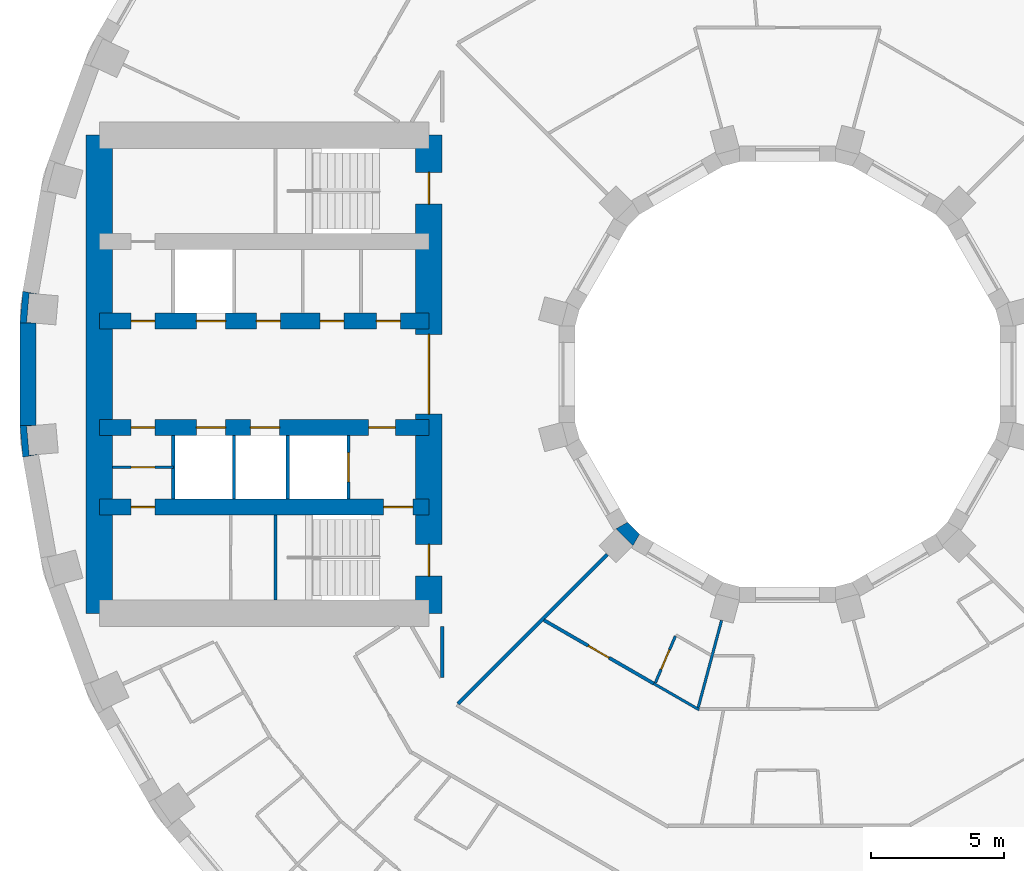
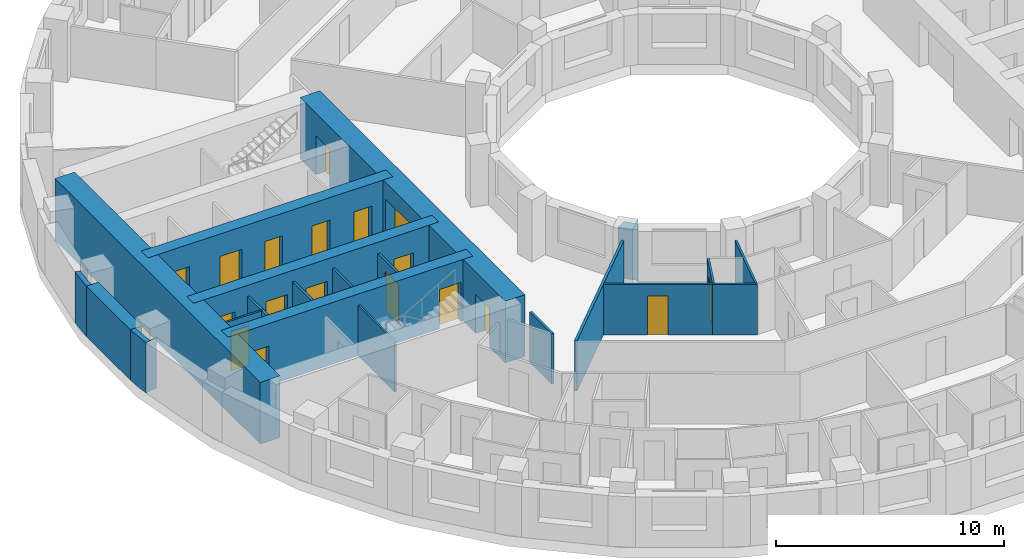
# One storey, part 6 of 15: 21 walls, 18 doors, 18 openings.
"""IFC4 building model written with IfcOpenShell, lengths in metres."""

from ifc_helpers import new_model, si_unit, direction, frame, frame_2d, origin, place, context, subcontext, project, spatial, polyline, rectangle, outline, extrude, material, layer, layer_set, type_object, element, fill, save


model = new_model("IFC4")

# Units and contexts
model_context = context("Model", 3, precision=1e-05, world=origin(), true_north=direction((0.0, 1.0)))
body_context = subcontext(model_context, "Body", "Model", "MODEL_VIEW")
ifc_project = project(units=[si_unit("LENGTHUNIT", "METRE"), si_unit("AREAUNIT", "SQUARE_METRE"), si_unit("VOLUMEUNIT", "CUBIC_METRE"), si_unit("PLANEANGLEUNIT", "RADIAN"), si_unit("MASSUNIT", "GRAM", prefix="KILO")], contexts=[model_context])

# Site, building, storey
site_placement = place(None, origin())
site = spatial("IfcSite", under=ifc_project, at=site_placement, CompositionType="ELEMENT")
building_placement = place(site_placement, origin())
building = spatial("IfcBuilding", under=site, at=building_placement, Name="Saqina Gate Tower", CompositionType="ELEMENT")
storey_placement = place(building_placement, frame((0.0, 0.0, 79.10009765625)))
storey = spatial("IfcBuildingStorey", under=building, at=storey_placement, Name="L22", CompositionType="ELEMENT", Elevation=79.10009765625)

# Walls
ifc_material_1 = material(Name="Brick masonry (red)", Category="masonry")
wall_type_1 = type_object("IfcWallType", Name="BRICK PIER COPING RED", PredefinedType="SOLIDWALL", material=ifc_material_1)
wall_1_placement = place(storey_placement, origin())
element("IfcWall", 1, at=wall_1_placement, inside=storey, type_object=wall_type_1, Name="Pier cap L22 column 18", PredefinedType="SOLIDWALL", context=body_context, shape_type="SweptSolid", body=[
    extrude(outline(polyline([(-28.78466796875, 3.122802734375), (-28.8896484375, 1.9228515625), (-28.28955078125, 1.9228515625), (-28.638671875, 1.95361328125), (-28.54296875, 3.04931640625), (-28.19384765625, 3.018798828125), (-28.78466796875, 3.122802734375)])), origin(), (0.0, 0.0, 1.0), 2.699951171875),
])
wall_2_placement = place(storey_placement, origin())
element("IfcWall", 2, at=wall_2_placement, inside=storey, type_object=wall_type_1, Name="Pier cap L22 column 19", PredefinedType="SOLIDWALL", context=body_context, shape_type="SweptSolid", body=[
    extrude(outline(polyline([(-28.8896484375, -1.9228515625), (-28.78466796875, -3.122802734375), (-28.19384765625, -3.018798828125), (-28.54296875, -3.04931640625), (-28.638671875, -1.95361328125), (-28.28955078125, -1.9228515625), (-28.8896484375, -1.9228515625)])), origin(), (0.0, 0.0, 1.0), 2.699951171875),
])

# Wall, opening, door
ifc_material_2 = material(Name="Gypsum board on steel studs", Category="steel")
ifc_layer_1 = layer(ifc_material_2, 0.10009765625)
ifc_layer_set_1 = layer_set([ifc_layer_1], Name="CORE PARTITION")
wall_type_2 = type_object("IfcWallType", Name="CORE PARTITION", PredefinedType="PARTITIONING", material=ifc_layer_set_1)
wall_3_placement = place(storey_placement, frame((-23.1201171875, -3.5, 0.0), z_axis=(0.0, 0.0, 1.0), x_axis=(-1.0, 0.0, 0.0)))
wall_3 = element("IfcWall", 3, at=wall_3_placement, inside=storey, type_object=wall_type_2, Name="L22-CP-W09", PredefinedType="PARTITIONING", context=body_context, shape_type="SweptSolid", body=[
    extrude(rectangle(XDim=2.27978515625, YDim=0.10009765625, at=frame_2d((1.139892578125, 0.0))), origin(), (0.0, 0.0, 1.0), 2.699951171875),
])
opening_1_placement = place(wall_3_placement, frame((0.68994140625, 0.0, 0.0)))
opening_1 = element("IfcOpeningElement", 4, at=opening_1_placement, cuts=wall_3, Name="Opening G06-D111", PredefinedType="OPENING", context=body_context, shape_type="SweptSolid", body=[
    extrude(rectangle(XDim=0.89990234375, YDim=2.10009765625, at=frame_2d((0.449951171875, 1.050048828125))), frame((0.0, 0.06201171875, 0.0), z_axis=(0.0, -1.0, 0.0), x_axis=(1.0, 0.0, 0.0)), (0.0, 0.0, 1.0), 0.1240234375),
])
ifc_material_3 = material(Name="Steel-framed fire door leaf, EI 60", Category="steel")
door_type_1 = type_object("IfcDoorType", Name="SERVICE ROOM DOOR 900", OperationType="SINGLE_SWING_LEFT", PredefinedType="DOOR", material=ifc_material_3)
door_1_placement = place(opening_1_placement, origin())
door_1 = element("IfcDoor", 5, at=door_1_placement, inside=storey, type_object=door_type_1, Name="L22-CD-W22", OperationType="SINGLE_SWING_RIGHT", OverallHeight=2.10009765625, OverallWidth=0.89990234375, PredefinedType="DOOR", context=body_context, shape_type="SweptSolid", body=[
    extrude(rectangle(XDim=0.89990234375, YDim=2.10009765625, at=frame_2d((0.449951171875, 1.050048828125))), frame((0.0, 0.02490234375, 0.0), z_axis=(0.0, -1.0, 0.0), x_axis=(1.0, 0.0, 0.0)), (0.0, 0.0, 1.0), 0.050048828125),
])
fill(opening_1, door_1)

# Walls
ifc_material_4 = material(Name="Glazed ceramic tile (white)", Category="ceramic")
ifc_layer_2 = layer(ifc_material_4, 0.60009765625)
ifc_layer_set_2 = layer_set([ifc_layer_2], Name="FW-TILE-WH")
wall_type_3 = type_object("IfcWallType", Name="FW-TILE-WH", PredefinedType="SOLIDWALL", material=ifc_layer_set_2)
wall_4_placement = place(storey_placement, frame((-28.589599609375, 1.9228515625, 0.0), z_axis=(0.0, 0.0, 1.0), x_axis=(0.0, -1.0, 0.0)))
element("IfcWall", 6, at=wall_4_placement, inside=storey, type_object=wall_type_3, Name="Facade wall L22 facet 18", PredefinedType="SOLIDWALL", context=body_context, shape_type="SweptSolid", body=[
    extrude(rectangle(XDim=3.845703125, YDim=0.60009765625, at=frame_2d((1.9228515625, 0.0))), origin(), (0.0, 0.0, 1.0), 2.699951171875),
])
ifc_material_5 = material(Name="Gypsum board on steel studs, 100 mm", Category="steel")
ifc_layer_3 = layer(ifc_material_5, 0.10009765625)
ifc_layer_set_3 = layer_set([ifc_layer_3], Name="PARTITION 100")
wall_type_4 = type_object("IfcWallType", Name="PARTITION 100", PredefinedType="PARTITIONING", material=ifc_layer_set_3)
wall_5_placement = place(storey_placement, frame((-5.039306640625, -11.639892578125, 0.0), z_axis=(0.0, 0.0, 1.0), x_axis=(0.866070511036, -0.499921863808, 0.0)))
element("IfcWall", 7, at=wall_5_placement, inside=storey, type_object=wall_type_4, Name="PARTITION PW3-41", PredefinedType="PARTITIONING", context=body_context, shape_type="SweptSolid", body=[
    extrude(rectangle(XDim=1.978271484375, YDim=0.10009765625, at=frame_2d((0.9892578125, 0.0))), origin(), (0.0, 0.0, 1.0), 2.699951171875),
])

# Wall, opening, door
wall_6_placement = place(storey_placement, frame((-4.971435546875, -11.607666015625, 0.0), z_axis=(0.0, 0.0, 1.0), x_axis=(0.393609497306, 0.919277740202, 0.0)))
wall_6 = element("IfcWall", 8, at=wall_6_placement, inside=storey, type_object=wall_type_4, Name="PARTITION PW3-108", PredefinedType="PARTITIONING", context=body_context, shape_type="SweptSolid", body=[
    extrude(rectangle(XDim=1.90234375, YDim=0.10009765625, at=frame_2d((0.951171875, 0.0))), origin(), (0.0, 0.0, 1.0), 2.699951171875),
])
opening_2_placement = place(wall_6_placement, frame((0.544921875, 0.0, 0.0)))
opening_2 = element("IfcOpeningElement", 9, at=opening_2_placement, cuts=wall_6, Name="Opening G06-D46", PredefinedType="OPENING", context=body_context, shape_type="SweptSolid", body=[
    extrude(rectangle(XDim=0.800048828125, YDim=2.10009765625, at=frame_2d((0.39990234375, 1.050048828125))), frame((0.0, 0.06201171875, 0.0), z_axis=(0.0, -1.0, 0.0), x_axis=(1.0, 0.0, 0.0)), (0.0, 0.0, 1.0), 0.1240234375),
])
ifc_material_6 = material(Name="Timber door leaf, 800 mm", Category="wood")
door_type_2 = type_object("IfcDoorType", Name="DOOR 800 TIMBER", OperationType="SINGLE_SWING_LEFT", PredefinedType="DOOR", material=ifc_material_6)
door_2_placement = place(opening_2_placement, origin())
door_2 = element("IfcDoor", 10, at=door_2_placement, inside=storey, type_object=door_type_2, Name="DOOR G06-D46", OperationType="SINGLE_SWING_LEFT", OverallHeight=2.10009765625, OverallWidth=0.800048828125, PredefinedType="DOOR", context=body_context, shape_type="SweptSolid", body=[
    extrude(rectangle(XDim=0.800048828125, YDim=2.10009765625, at=frame_2d((0.39990234375, 1.050048828125))), frame((0.0, 0.02490234375, 0.0), z_axis=(0.0, -1.0, 0.0), x_axis=(1.0, 0.0, 0.0)), (0.0, 0.0, 1.0), 0.050048828125),
])
fill(opening_2, door_2)

# Wall
wall_7_placement = place(storey_placement, frame((-3.36279296875, -12.5517578125, 0.0), z_axis=(0.0, 0.0, 1.0), x_axis=(0.258761193143, 0.965941325818, 0.0)))
element("IfcWall", 11, at=wall_7_placement, inside=storey, type_object=wall_type_4, Name="PARTITION PW3-113", PredefinedType="PARTITIONING", context=body_context, shape_type="SweptSolid", body=[
    extrude(rectangle(XDim=3.40234375, YDim=0.10009765625, at=frame_2d((1.701171875, 0.0))), origin(), (0.0, 0.0, 1.0), 2.699951171875),
])

# Wall, opening, door
ifc_material_7 = material(Name="Gypsum board on steel studs, 125 mm, fire rated", Category="steel")
ifc_layer_4 = layer(ifc_material_7, 0.125)
ifc_layer_set_4 = layer_set([ifc_layer_4], Name="PARTITION EI 30 125")
wall_type_5 = type_object("IfcWallType", Name="PARTITION EI 30 125", PredefinedType="PARTITIONING", material=ifc_layer_set_4)
wall_8_placement = place(storey_placement, frame((-9.169921875, -9.25537109375, 0.0), z_axis=(0.0, 0.0, 1.0), x_axis=(0.866051761422, -0.499954344453, 0.0)))
wall_8 = element("IfcWall", 12, at=wall_8_placement, inside=storey, type_object=wall_type_5, Name="PARTITION PW1-23", PredefinedType="PARTITIONING", context=body_context, shape_type="SweptSolid", body=[
    extrude(rectangle(XDim=4.76953125, YDim=0.125, at=frame_2d((2.384765625, 0.0))), origin(), (0.0, 0.0, 1.0), 2.699951171875),
])
opening_3_placement = place(wall_8_placement, frame((1.928466796875, 0.0, 0.0)))
opening_3 = element("IfcOpeningElement", 13, at=opening_3_placement, cuts=wall_8, Name="Opening G06-D43", PredefinedType="OPENING", context=body_context, shape_type="SweptSolid", body=[
    extrude(rectangle(XDim=0.89990234375, YDim=2.10009765625, at=frame_2d((0.449951171875, 1.050048828125))), frame((0.0, 0.074462890625, 0.0), z_axis=(0.0, -1.0, 0.0), x_axis=(1.0, 0.0, 0.0)), (0.0, 0.0, 1.0), 0.14892578125),
])
ifc_material_8 = material(Name="Fire door leaf EI 30, 900 mm")
door_type_3 = type_object("IfcDoorType", Name="DOOR 900 EI 30", OperationType="SINGLE_SWING_LEFT", PredefinedType="DOOR", material=ifc_material_8)
door_3_placement = place(opening_3_placement, frame((0.89990234375, 0.0, 0.0), z_axis=(0.0, 0.0, 1.0), x_axis=(-1.0, 0.0, 0.0)))
door_3 = element("IfcDoor", 14, at=door_3_placement, inside=storey, type_object=door_type_3, Name="DOOR G06-D43", OperationType="SINGLE_SWING_RIGHT", OverallHeight=2.10009765625, OverallWidth=0.89990234375, PredefinedType="DOOR", context=body_context, shape_type="SweptSolid", body=[
    extrude(rectangle(XDim=0.89990234375, YDim=2.10009765625, at=frame_2d((0.449951171875, 1.050048828125))), frame((0.0, 0.02490234375, 0.0), z_axis=(0.0, -1.0, 0.0), x_axis=(1.0, 0.0, 0.0)), (0.0, 0.0, 1.0), 0.050048828125),
])
fill(opening_3, door_3)

# Walls
wall_9_placement = place(storey_placement, frame((-12.40087890625, -12.40087890625, 0.0), z_axis=(0.0, 0.0, 1.0), x_axis=(0.707106781187, 0.707106781187, 0.0)))
element("IfcWall", 15, at=wall_9_placement, inside=storey, type_object=wall_type_5, Name="PARTITION PW1-53", PredefinedType="PARTITIONING", context=body_context, shape_type="SweptSolid", body=[
    extrude(rectangle(XDim=7.9453125, YDim=0.125, at=frame_2d((3.97265625, 0.0))), origin(), (0.0, 0.0, 1.0), 2.699951171875),
])
wall_10_placement = place(storey_placement, frame((-13.0, -11.42041015625, 0.0), z_axis=(0.0, 0.0, 1.0), x_axis=(0.0, 1.0, 0.0)))
element("IfcWall", 16, at=wall_10_placement, inside=storey, type_object=wall_type_5, Name="PARTITION PW1-62", PredefinedType="PARTITIONING", context=body_context, shape_type="SweptSolid", body=[
    extrude(rectangle(XDim=1.92041015625, YDim=0.125, at=frame_2d((0.960205078125, 0.0))), origin(), (0.0, 0.0, 1.0), 2.699951171875),
])

# Wall, opening, door
ifc_material_9 = material(Name="Autoclaved aerated concrete block", Category="concrete")
ifc_layer_5 = layer(ifc_material_9, 0.1201171875)
ifc_layer_set_5 = layer_set([ifc_layer_5], Name="SHAFT PARTITION")
wall_type_6 = type_object("IfcWallType", Name="SHAFT PARTITION", PredefinedType="PARTITIONING", material=ifc_layer_set_5)
wall_11_placement = place(storey_placement, frame((-16.530029296875, -4.699951171875, 0.0), z_axis=(0.0, 0.0, 1.0), x_axis=(0.0, 1.0, 0.0)))
wall_11 = element("IfcWall", 17, at=wall_11_placement, inside=storey, type_object=wall_type_6, Name="L22-CP-W05", PredefinedType="PARTITIONING", context=body_context, shape_type="SweptSolid", body=[
    extrude(rectangle(XDim=2.39990234375, YDim=0.1201171875, at=frame_2d((1.199951171875, 0.0))), origin(), (0.0, 0.0, 1.0), 2.699951171875),
])
opening_4_placement = place(wall_11_placement, frame((0.64990234375, 0.0, 0.0)))
opening_4 = element("IfcOpeningElement", 18, at=opening_4_placement, cuts=wall_11, Name="Opening G06-LD6", PredefinedType="OPENING", context=body_context, shape_type="SweptSolid", body=[
    extrude(rectangle(XDim=1.10009765625, YDim=2.10009765625, at=frame_2d((0.550048828125, 1.050048828125))), frame((0.0, 0.072021484375, 0.0), z_axis=(0.0, -1.0, 0.0), x_axis=(1.0, 0.0, 0.0)), (0.0, 0.0, 1.0), 0.14404296875),
])
ifc_material_10 = material(Name="Stainless steel", Category="steel")
door_type_4 = type_object("IfcDoorType", Name="LANDING DOOR", OperationType="DOUBLE_DOOR_SLIDING", PredefinedType="DOOR", material=ifc_material_10)
door_4_placement = place(opening_4_placement, origin())
door_4 = element("IfcDoor", 19, at=door_4_placement, inside=storey, type_object=door_type_4, Name="LANDING DOOR FF2", OperationType="DOUBLE_DOOR_SLIDING", OverallHeight=2.10009765625, OverallWidth=1.10009765625, PredefinedType="DOOR", context=body_context, shape_type="SweptSolid", body=[
    extrude(rectangle(XDim=1.10009765625, YDim=2.10009765625, at=frame_2d((0.550048828125, 1.050048828125))), frame((0.0, 0.02490234375, 0.0), z_axis=(0.0, -1.0, 0.0), x_axis=(1.0, 0.0, 0.0)), (0.0, 0.0, 1.0), 0.050048828125),
])
fill(opening_4, door_4)

# Walls
for number, where, z_axis, x_axis, name in (
    (20, (-18.81005859375, -4.699951171875, 0.0), (0.0, 0.0, 1.0), (0.0, 1.0, 0.0), "L22-CP-W06"),
    (21, (-20.840087890625, -4.699951171875, 0.0), (0.0, 0.0, 1.0), (0.0, 1.0, 0.0), "L22-CP-W07"),
    (22, (-23.1201171875, -4.699951171875, 0.0), (0.0, 0.0, 1.0), (0.0, 1.0, 0.0), "L22-CP-W08"),
):
    element("IfcWall", number, at=place(storey_placement, frame(where, z_axis=z_axis, x_axis=x_axis)), inside=storey, type_object=wall_type_6, Name=name, PredefinedType="PARTITIONING", context=body_context, shape_type="SweptSolid", body=[
        extrude(rectangle(XDim=2.39990234375, YDim=0.1201171875, at=frame_2d((1.199951171875, 0.0))), origin(), (0.0, 0.0, 1.0), 2.699951171875),
    ])
ifc_material_11 = material(Name="Autoclaved aerated concrete block", Category="concrete")
ifc_layer_6 = layer(ifc_material_11, 0.10009765625)
ifc_layer_set_6 = layer_set([ifc_layer_6], Name="STAIR ENCLOSURE WALL")
wall_type_7 = type_object("IfcWallType", Name="STAIR ENCLOSURE WALL", PredefinedType="PARTITIONING", material=ifc_layer_set_6)
wall_12_placement = place(storey_placement, frame((-19.27001953125, -8.5, 0.0), z_axis=(0.0, 0.0, 1.0), x_axis=(0.0, 1.0, 0.0)))
element("IfcWall", 23, at=wall_12_placement, inside=storey, type_object=wall_type_7, Name="L22-CP-W11", PredefinedType="PARTITIONING", context=body_context, shape_type="SweptSolid", body=[
    extrude(rectangle(XDim=3.199951171875, YDim=0.10009765625, at=frame_2d((1.60009765625, 0.0))), origin(), (0.0, 0.0, 1.0), 2.699951171875),
])

# Wall, openings, doors
ifc_material_12 = material(Name="Concrete C70/85", Category="concrete")
ifc_layer_7 = layer(ifc_material_12, 0.60009765625)
ifc_layer_set_7 = layer_set([ifc_layer_7], Name="Concrete C70/85")
wall_type_8 = type_object("IfcWallType", Name="STR-CORE WALL-A-I", PredefinedType="SHEAR", material=ifc_layer_set_7)
wall_13_placement = place(storey_placement, frame((-13.5, -5.0, 0.0), z_axis=(0.0, 0.0, 1.0), x_axis=(-1.0, 0.0, 0.0)))
wall_13 = element("IfcWall", 24, at=wall_13_placement, inside=storey, type_object=wall_type_8, Name="CORE WALL L22 W-X2", PredefinedType="SHEAR", context=body_context, shape_type="SweptSolid", body=[
    extrude(rectangle(XDim=12.39990234375, YDim=0.60009765625, at=frame_2d((6.199951171875, 0.0))), origin(), (0.0, 0.0, 1.0), 3.2998046875),
])
opening_5_placement = place(wall_13_placement, frame((10.31005859375, 0.0, 0.0)))
opening_5 = element("IfcOpeningElement", 25, at=opening_5_placement, cuts=wall_13, Name="Opening G06-D113", PredefinedType="OPENING", context=body_context, shape_type="SweptSolid", body=[
    extrude(rectangle(XDim=0.89990234375, YDim=2.10009765625, at=frame_2d((0.449951171875, 1.050048828125))), frame((0.0, 0.31201171875, 0.0), z_axis=(0.0, -1.0, 0.0), x_axis=(1.0, 0.0, 0.0)), (0.0, 0.0, 1.0), 0.6240234375),
])
opening_6_placement = place(wall_13_placement, frame((0.60009765625, 0.0, 0.0)))
opening_6 = element("IfcOpeningElement", 26, at=opening_6_placement, cuts=wall_13, Name="Opening G06-D114", PredefinedType="OPENING", context=body_context, shape_type="SweptSolid", body=[
    extrude(rectangle(XDim=1.10009765625, YDim=2.10009765625, at=frame_2d((0.550048828125, 1.050048828125))), frame((0.0, 0.31201171875, 0.0), z_axis=(0.0, -1.0, 0.0), x_axis=(1.0, 0.0, 0.0)), (0.0, 0.0, 1.0), 0.6240234375),
])
ifc_material_13 = material(Name="Steel", Category="steel")
door_type_5 = type_object("IfcDoorType", Name="FIRE LOBBY DOOR EI 60 WIDE", OperationType="SINGLE_SWING_LEFT", PredefinedType="DOOR", material=ifc_material_13)
door_5_placement = place(opening_6_placement, origin())
door_5 = element("IfcDoor", 27, at=door_5_placement, inside=storey, type_object=door_type_5, Name="L22-CD-W25", OperationType="SINGLE_SWING_LEFT", OverallHeight=2.10009765625, OverallWidth=1.10009765625, PredefinedType="DOOR", context=body_context, shape_type="SweptSolid", body=[
    extrude(rectangle(XDim=1.10009765625, YDim=2.10009765625, at=frame_2d((0.550048828125, 1.050048828125))), frame((0.0, 0.02490234375, 0.0), z_axis=(0.0, -1.0, 0.0), x_axis=(1.0, 0.0, 0.0)), (0.0, 0.0, 1.0), 0.050048828125),
])
fill(opening_6, door_5)
door_6_placement = place(opening_5_placement, origin())
door_6 = element("IfcDoor", 28, at=door_6_placement, inside=storey, type_object=door_type_1, Name="L22-CD-W24", OperationType="SINGLE_SWING_RIGHT", OverallHeight=2.10009765625, OverallWidth=0.89990234375, PredefinedType="DOOR", context=body_context, shape_type="SweptSolid", body=[
    extrude(rectangle(XDim=0.89990234375, YDim=2.10009765625, at=frame_2d((0.449951171875, 1.050048828125))), frame((0.0, 0.02490234375, 0.0), z_axis=(0.0, -1.0, 0.0), x_axis=(1.0, 0.0, 0.0)), (0.0, 0.0, 1.0), 0.050048828125),
])
fill(opening_5, door_6)

wall_14_placement = place(storey_placement, frame((-13.5, 2.0, 0.0), z_axis=(0.0, 0.0, 1.0), x_axis=(-1.0, 0.0, 0.0)))
wall_14 = element("IfcWall", 29, at=wall_14_placement, inside=storey, type_object=wall_type_8, Name="CORE WALL L22 W-L1", PredefinedType="SHEAR", context=body_context, shape_type="SweptSolid", body=[
    extrude(rectangle(XDim=12.39990234375, YDim=0.60009765625, at=frame_2d((6.199951171875, 0.0))), origin(), (0.0, 0.0, 1.0), 3.2998046875),
])
opening_7_placement = place(wall_14_placement, frame((7.64990234375, 0.0, 0.0)))
opening_7 = element("IfcOpeningElement", 30, at=opening_7_placement, cuts=wall_14, Name="Opening G06-LD5", PredefinedType="OPENING", context=body_context, shape_type="SweptSolid", body=[
    extrude(rectangle(XDim=1.10009765625, YDim=2.10009765625, at=frame_2d((0.550048828125, 1.050048828125))), frame((0.0, 0.31201171875, 0.0), z_axis=(0.0, -1.0, 0.0), x_axis=(1.0, 0.0, 0.0)), (0.0, 0.0, 1.0), 0.6240234375),
])
opening_8_placement = place(wall_14_placement, frame((1.075927734375, 0.0, 0.0)))
opening_8 = element("IfcOpeningElement", 31, at=opening_8_placement, cuts=wall_14, Name="Opening G06-D104", PredefinedType="OPENING", context=body_context, shape_type="SweptSolid", body=[
    extrude(rectangle(XDim=0.89990234375, YDim=2.10009765625, at=frame_2d((0.449951171875, 1.050048828125))), frame((0.0, 0.31201171875, 0.0), z_axis=(0.0, -1.0, 0.0), x_axis=(1.0, 0.0, 0.0)), (0.0, 0.0, 1.0), 0.6240234375),
])
opening_9_placement = place(wall_14_placement, frame((3.1962890625, 0.0, 0.0)))
opening_9 = element("IfcOpeningElement", 32, at=opening_9_placement, cuts=wall_14, Name="Opening G06-D105", PredefinedType="OPENING", context=body_context, shape_type="SweptSolid", body=[
    extrude(rectangle(XDim=0.89990234375, YDim=2.10009765625, at=frame_2d((0.449951171875, 1.050048828125))), frame((0.0, 0.31201171875, 0.0), z_axis=(0.0, -1.0, 0.0), x_axis=(1.0, 0.0, 0.0)), (0.0, 0.0, 1.0), 0.6240234375),
])
opening_10_placement = place(wall_14_placement, frame((5.59033203125, 0.0, 0.0)))
opening_10 = element("IfcOpeningElement", 33, at=opening_10_placement, cuts=wall_14, Name="Opening G06-D106", PredefinedType="OPENING", context=body_context, shape_type="SweptSolid", body=[
    extrude(rectangle(XDim=0.89990234375, YDim=2.10009765625, at=frame_2d((0.449951171875, 1.050048828125))), frame((0.0, 0.31201171875, 0.0), z_axis=(0.0, -1.0, 0.0), x_axis=(1.0, 0.0, 0.0)), (0.0, 0.0, 1.0), 0.6240234375),
])
opening_11_placement = place(wall_14_placement, frame((10.31005859375, 0.0, 0.0)))
opening_11 = element("IfcOpeningElement", 34, at=opening_11_placement, cuts=wall_14, Name="Opening G06-D107", PredefinedType="OPENING", context=body_context, shape_type="SweptSolid", body=[
    extrude(rectangle(XDim=0.89990234375, YDim=2.10009765625, at=frame_2d((0.449951171875, 1.050048828125))), frame((0.0, 0.31201171875, 0.0), z_axis=(0.0, -1.0, 0.0), x_axis=(1.0, 0.0, 0.0)), (0.0, 0.0, 1.0), 0.6240234375),
])
door_7_placement = place(opening_7_placement, origin())
door_7 = element("IfcDoor", 35, at=door_7_placement, inside=storey, type_object=door_type_4, Name="LANDING DOOR LR4", OperationType="DOUBLE_DOOR_SLIDING", OverallHeight=2.10009765625, OverallWidth=1.10009765625, PredefinedType="DOOR", context=body_context, shape_type="SweptSolid", body=[
    extrude(rectangle(XDim=1.10009765625, YDim=2.10009765625, at=frame_2d((0.550048828125, 1.050048828125))), frame((0.0, 0.02490234375, 0.0), z_axis=(0.0, -1.0, 0.0), x_axis=(1.0, 0.0, 0.0)), (0.0, 0.0, 1.0), 0.050048828125),
])
fill(opening_7, door_7)
door_8_placement = place(opening_8_placement, frame((0.89990234375, 0.0, 0.0), z_axis=(0.0, 0.0, 1.0), x_axis=(-1.0, 0.0, 0.0)))
door_8 = element("IfcDoor", 36, at=door_8_placement, inside=storey, type_object=door_type_1, Name="L22-CD-W15", OperationType="SINGLE_SWING_LEFT", OverallHeight=2.10009765625, OverallWidth=0.89990234375, PredefinedType="DOOR", context=body_context, shape_type="SweptSolid", body=[
    extrude(rectangle(XDim=0.89990234375, YDim=2.10009765625, at=frame_2d((0.449951171875, 1.050048828125))), frame((0.0, 0.02490234375, 0.0), z_axis=(0.0, -1.0, 0.0), x_axis=(1.0, 0.0, 0.0)), (0.0, 0.0, 1.0), 0.050048828125),
])
fill(opening_8, door_8)
door_9_placement = place(opening_9_placement, frame((0.89990234375, 0.0, 0.0), z_axis=(0.0, 0.0, 1.0), x_axis=(-1.0, 0.0, 0.0)))
door_9 = element("IfcDoor", 37, at=door_9_placement, inside=storey, type_object=door_type_1, Name="L22-CD-W16", OperationType="SINGLE_SWING_RIGHT", OverallHeight=2.10009765625, OverallWidth=0.89990234375, PredefinedType="DOOR", context=body_context, shape_type="SweptSolid", body=[
    extrude(rectangle(XDim=0.89990234375, YDim=2.10009765625, at=frame_2d((0.449951171875, 1.050048828125))), frame((0.0, 0.02490234375, 0.0), z_axis=(0.0, -1.0, 0.0), x_axis=(1.0, 0.0, 0.0)), (0.0, 0.0, 1.0), 0.050048828125),
])
fill(opening_9, door_9)
door_10_placement = place(opening_10_placement, frame((0.89990234375, 0.0, 0.0), z_axis=(0.0, 0.0, 1.0), x_axis=(-1.0, 0.0, 0.0)))
door_10 = element("IfcDoor", 38, at=door_10_placement, inside=storey, type_object=door_type_1, Name="L22-CD-W17", OperationType="SINGLE_SWING_RIGHT", OverallHeight=2.10009765625, OverallWidth=0.89990234375, PredefinedType="DOOR", context=body_context, shape_type="SweptSolid", body=[
    extrude(rectangle(XDim=0.89990234375, YDim=2.10009765625, at=frame_2d((0.449951171875, 1.050048828125))), frame((0.0, 0.02490234375, 0.0), z_axis=(0.0, -1.0, 0.0), x_axis=(1.0, 0.0, 0.0)), (0.0, 0.0, 1.0), 0.050048828125),
])
fill(opening_10, door_10)
door_11_placement = place(opening_11_placement, frame((0.89990234375, 0.0, 0.0), z_axis=(0.0, 0.0, 1.0), x_axis=(-1.0, 0.0, 0.0)))
door_11 = element("IfcDoor", 39, at=door_11_placement, inside=storey, type_object=door_type_1, Name="L22-CD-W18", OperationType="SINGLE_SWING_LEFT", OverallHeight=2.10009765625, OverallWidth=0.89990234375, PredefinedType="DOOR", context=body_context, shape_type="SweptSolid", body=[
    extrude(rectangle(XDim=0.89990234375, YDim=2.10009765625, at=frame_2d((0.449951171875, 1.050048828125))), frame((0.0, 0.02490234375, 0.0), z_axis=(0.0, -1.0, 0.0), x_axis=(1.0, 0.0, 0.0)), (0.0, 0.0, 1.0), 0.050048828125),
])
fill(opening_11, door_11)

wall_15_placement = place(storey_placement, frame((-13.5, -2.0, 0.0), z_axis=(0.0, 0.0, 1.0), x_axis=(-1.0, 0.0, 0.0)))
wall_15 = element("IfcWall", 40, at=wall_15_placement, inside=storey, type_object=wall_type_8, Name="CORE WALL L22 W-L2", PredefinedType="SHEAR", context=body_context, shape_type="SweptSolid", body=[
    extrude(rectangle(XDim=12.39990234375, YDim=0.60009765625, at=frame_2d((6.199951171875, 0.0))), origin(), (0.0, 0.0, 1.0), 3.2998046875),
])
opening_12_placement = place(wall_15_placement, frame((5.6201171875, 0.0, 0.0)))
opening_12 = element("IfcOpeningElement", 41, at=opening_12_placement, cuts=wall_15, Name="Opening G06-LD7", PredefinedType="OPENING", context=body_context, shape_type="SweptSolid", body=[
    extrude(rectangle(XDim=1.10009765625, YDim=2.10009765625, at=frame_2d((0.550048828125, 1.050048828125))), frame((0.0, 0.31201171875, 0.0), z_axis=(0.0, -1.0, 0.0), x_axis=(1.0, 0.0, 0.0)), (0.0, 0.0, 1.0), 0.6240234375),
])
opening_13_placement = place(wall_15_placement, frame((7.64990234375, 0.0, 0.0)))
opening_13 = element("IfcOpeningElement", 42, at=opening_13_placement, cuts=wall_15, Name="Opening G06-LD8", PredefinedType="OPENING", context=body_context, shape_type="SweptSolid", body=[
    extrude(rectangle(XDim=1.10009765625, YDim=2.10009765625, at=frame_2d((0.550048828125, 1.050048828125))), frame((0.0, 0.31201171875, 0.0), z_axis=(0.0, -1.0, 0.0), x_axis=(1.0, 0.0, 0.0)), (0.0, 0.0, 1.0), 0.6240234375),
])
opening_14_placement = place(wall_15_placement, frame((1.264892578125, 0.0, 0.0)))
opening_14 = element("IfcOpeningElement", 43, at=opening_14_placement, cuts=wall_15, Name="Opening G06-D108", PredefinedType="OPENING", context=body_context, shape_type="SweptSolid", body=[
    extrude(rectangle(XDim=1.0, YDim=2.10009765625, at=frame_2d((0.5, 1.050048828125))), frame((0.0, 0.31201171875, 0.0), z_axis=(0.0, -1.0, 0.0), x_axis=(1.0, 0.0, 0.0)), (0.0, 0.0, 1.0), 0.6240234375),
])
opening_15_placement = place(wall_15_placement, frame((10.31005859375, 0.0, 0.0)))
opening_15 = element("IfcOpeningElement", 44, at=opening_15_placement, cuts=wall_15, Name="Opening G06-D109", PredefinedType="OPENING", context=body_context, shape_type="SweptSolid", body=[
    extrude(rectangle(XDim=0.89990234375, YDim=2.10009765625, at=frame_2d((0.449951171875, 1.050048828125))), frame((0.0, 0.31201171875, 0.0), z_axis=(0.0, -1.0, 0.0), x_axis=(1.0, 0.0, 0.0)), (0.0, 0.0, 1.0), 0.6240234375),
])
ifc_material_14 = material(Name="Steel", Category="steel")
door_type_6 = type_object("IfcDoorType", Name="FIRE LOBBY DOOR EI 60", OperationType="SINGLE_SWING_LEFT", PredefinedType="DOOR", material=ifc_material_14)
door_12_placement = place(opening_14_placement, frame((1.0, 0.0, 0.0), z_axis=(0.0, 0.0, 1.0), x_axis=(-1.0, 0.0, 0.0)))
door_12 = element("IfcDoor", 45, at=door_12_placement, inside=storey, type_object=door_type_6, Name="L22-CD-W19", OperationType="SINGLE_SWING_RIGHT", OverallHeight=2.10009765625, OverallWidth=1.0, PredefinedType="DOOR", context=body_context, shape_type="SweptSolid", body=[
    extrude(rectangle(XDim=1.0, YDim=2.10009765625, at=frame_2d((0.5, 1.050048828125))), frame((0.0, 0.02490234375, 0.0), z_axis=(0.0, -1.0, 0.0), x_axis=(1.0, 0.0, 0.0)), (0.0, 0.0, 1.0), 0.050048828125),
])
fill(opening_14, door_12)
door_13_placement = place(opening_12_placement, origin())
door_13 = element("IfcDoor", 46, at=door_13_placement, inside=storey, type_object=door_type_4, Name="LANDING DOOR LR6", OperationType="DOUBLE_DOOR_SLIDING", OverallHeight=2.10009765625, OverallWidth=1.10009765625, PredefinedType="DOOR", context=body_context, shape_type="SweptSolid", body=[
    extrude(rectangle(XDim=1.10009765625, YDim=2.10009765625, at=frame_2d((0.550048828125, 1.050048828125))), frame((0.0, 0.02490234375, 0.0), z_axis=(0.0, -1.0, 0.0), x_axis=(1.0, 0.0, 0.0)), (0.0, 0.0, 1.0), 0.050048828125),
])
fill(opening_12, door_13)
door_14_placement = place(opening_13_placement, origin())
door_14 = element("IfcDoor", 47, at=door_14_placement, inside=storey, type_object=door_type_4, Name="LANDING DOOR LR5", OperationType="DOUBLE_DOOR_SLIDING", OverallHeight=2.10009765625, OverallWidth=1.10009765625, PredefinedType="DOOR", context=body_context, shape_type="SweptSolid", body=[
    extrude(rectangle(XDim=1.10009765625, YDim=2.10009765625, at=frame_2d((0.550048828125, 1.050048828125))), frame((0.0, 0.02490234375, 0.0), z_axis=(0.0, -1.0, 0.0), x_axis=(1.0, 0.0, 0.0)), (0.0, 0.0, 1.0), 0.050048828125),
])
fill(opening_13, door_14)
door_15_placement = place(opening_15_placement, origin())
door_15 = element("IfcDoor", 48, at=door_15_placement, inside=storey, type_object=door_type_1, Name="L22-CD-W20", OperationType="SINGLE_SWING_RIGHT", OverallHeight=2.10009765625, OverallWidth=0.89990234375, PredefinedType="DOOR", context=body_context, shape_type="SweptSolid", body=[
    extrude(rectangle(XDim=0.89990234375, YDim=2.10009765625, at=frame_2d((0.449951171875, 1.050048828125))), frame((0.0, 0.02490234375, 0.0), z_axis=(0.0, -1.0, 0.0), x_axis=(1.0, 0.0, 0.0)), (0.0, 0.0, 1.0), 0.050048828125),
])
fill(opening_15, door_15)

ifc_material_15 = material(Name="Concrete C70/85", Category="concrete")
ifc_layer_8 = layer(ifc_material_15, 1.0)
ifc_layer_set_8 = layer_set([ifc_layer_8], Name="Concrete C70/85")
wall_type_9 = type_object("IfcWallType", Name="STR-CORE WALL-A-O", PredefinedType="SHEAR", material=ifc_layer_set_8)
wall_16_placement = place(storey_placement, frame((-13.5, -9.0, 0.0), z_axis=(0.0, 0.0, 1.0), x_axis=(0.0, 1.0, 0.0)))
wall_16 = element("IfcWall", 49, at=wall_16_placement, inside=storey, type_object=wall_type_9, Name="CORE WALL L22 W-W1", PredefinedType="SHEAR", context=body_context, shape_type="SweptSolid", body=[
    extrude(rectangle(XDim=18.0, YDim=1.0, at=frame_2d((9.0, 0.0))), origin(), (0.0, 0.0, 1.0), 3.2998046875),
])
opening_16_placement = place(wall_16_placement, frame((15.39990234375, 0.0, 0.0)))
opening_16 = element("IfcOpeningElement", 50, at=opening_16_placement, cuts=wall_16, Name="Opening G06-D115", PredefinedType="OPENING", context=body_context, shape_type="SweptSolid", body=[
    extrude(rectangle(XDim=1.199951171875, YDim=2.10009765625, at=frame_2d((0.60009765625, 1.050048828125))), frame((0.0, 0.511962890625, 0.0), z_axis=(0.0, -1.0, 0.0), x_axis=(1.0, 0.0, 0.0)), (0.0, 0.0, 1.0), 1.02392578125),
])
opening_17_placement = place(wall_16_placement, frame((1.39990234375, 0.0, 0.0)))
opening_17 = element("IfcOpeningElement", 51, at=opening_17_placement, cuts=wall_16, Name="Opening G06-D116", PredefinedType="OPENING", context=body_context, shape_type="SweptSolid", body=[
    extrude(rectangle(XDim=1.199951171875, YDim=2.10009765625, at=frame_2d((0.60009765625, 1.050048828125))), frame((0.0, 0.511962890625, 0.0), z_axis=(0.0, -1.0, 0.0), x_axis=(1.0, 0.0, 0.0)), (0.0, 0.0, 1.0), 1.02392578125),
])
opening_18_placement = place(wall_16_placement, frame((7.5, 0.0, 0.0)))
opening_18 = element("IfcOpeningElement", 52, at=opening_18_placement, cuts=wall_16, Name="Opening G06-D117", PredefinedType="OPENING", context=body_context, shape_type="SweptSolid", body=[
    extrude(rectangle(XDim=3.0, YDim=2.39990234375, at=frame_2d((1.5, 1.199951171875))), frame((0.0, 0.511962890625, 0.0), z_axis=(0.0, -1.0, 0.0), x_axis=(1.0, 0.0, 0.0)), (0.0, 0.0, 1.0), 1.02392578125),
])
ifc_material_16 = material(Name="Steel", Category="steel")
door_type_7 = type_object("IfcDoorType", Name="FIRE DOOR EI 60", OperationType="SINGLE_SWING_LEFT", PredefinedType="DOOR", material=ifc_material_16)
door_16_placement = place(opening_16_placement, origin())
door_16 = element("IfcDoor", 53, at=door_16_placement, inside=storey, type_object=door_type_7, Name="L22-CD-W26", OperationType="SINGLE_SWING_RIGHT", OverallHeight=2.10009765625, OverallWidth=1.199951171875, PredefinedType="DOOR", context=body_context, shape_type="SweptSolid", body=[
    extrude(rectangle(XDim=1.199951171875, YDim=2.10009765625, at=frame_2d((0.60009765625, 1.050048828125))), frame((0.0, 0.02490234375, 0.0), z_axis=(0.0, -1.0, 0.0), x_axis=(1.0, 0.0, 0.0)), (0.0, 0.0, 1.0), 0.050048828125),
])
fill(opening_16, door_16)
door_17_placement = place(opening_17_placement, origin())
door_17 = element("IfcDoor", 54, at=door_17_placement, inside=storey, type_object=door_type_7, Name="L22-CD-W27", OperationType="SINGLE_SWING_LEFT", OverallHeight=2.10009765625, OverallWidth=1.199951171875, PredefinedType="DOOR", context=body_context, shape_type="SweptSolid", body=[
    extrude(rectangle(XDim=1.199951171875, YDim=2.10009765625, at=frame_2d((0.60009765625, 1.050048828125))), frame((0.0, 0.02490234375, 0.0), z_axis=(0.0, -1.0, 0.0), x_axis=(1.0, 0.0, 0.0)), (0.0, 0.0, 1.0), 0.050048828125),
])
fill(opening_17, door_17)
ifc_material_17 = material(Name="Steel and fire-resisting glass", Category="steel")
door_type_8 = type_object("IfcDoorType", Name="LOBBY SCREEN DOOR", OperationType="DOUBLE_DOOR_SLIDING", PredefinedType="DOOR", material=ifc_material_17)
door_18_placement = place(opening_18_placement, origin())
door_18 = element("IfcDoor", 55, at=door_18_placement, inside=storey, type_object=door_type_8, Name="L22-CD-W28", OperationType="DOUBLE_DOOR_SLIDING", OverallHeight=2.39990234375, OverallWidth=3.0, PredefinedType="DOOR", context=body_context, shape_type="SweptSolid", body=[
    extrude(rectangle(XDim=3.0, YDim=2.39990234375, at=frame_2d((1.5, 1.199951171875))), frame((0.0, 0.02490234375, 0.0), z_axis=(0.0, -1.0, 0.0), x_axis=(1.0, 0.0, 0.0)), (0.0, 0.0, 1.0), 0.050048828125),
])
fill(opening_18, door_18)

# Walls
wall_17_placement = place(storey_placement, frame((-25.89990234375, -9.0, 0.0), z_axis=(0.0, 0.0, 1.0), x_axis=(0.0, 1.0, 0.0)))
element("IfcWall", 56, at=wall_17_placement, inside=storey, type_object=wall_type_9, Name="CORE WALL L22 W-W2", PredefinedType="SHEAR", context=body_context, shape_type="SweptSolid", body=[
    extrude(rectangle(XDim=18.0, YDim=1.0, at=frame_2d((9.0, 0.0))), origin(), (0.0, 0.0, 1.0), 3.2998046875),
])
ifc_material_18 = material(Name="Glazed ceramic tile", Category="ceramic")
wall_type_10 = type_object("IfcWallType", Name="TILE PIER COPING", PredefinedType="SOLIDWALL", material=ifc_material_18)
wall_18_placement = place(storey_placement, origin())
element("IfcWall", 57, at=wall_18_placement, inside=storey, type_object=wall_type_10, Name="Well pier cap L22 column 8", PredefinedType="SOLIDWALL", context=body_context, shape_type="SweptSolid", body=[
    extrude(outline(polyline([(-6.45751953125, -5.821044921875), (-5.821044921875, -6.45751953125), (-5.569580078125, -6.02197265625), (-6.02197265625, -5.569580078125), (-6.45751953125, -5.821044921875)])), origin(), (0.0, 0.0, 1.0), 2.699951171875),
])

save(model, "model.ifc")
